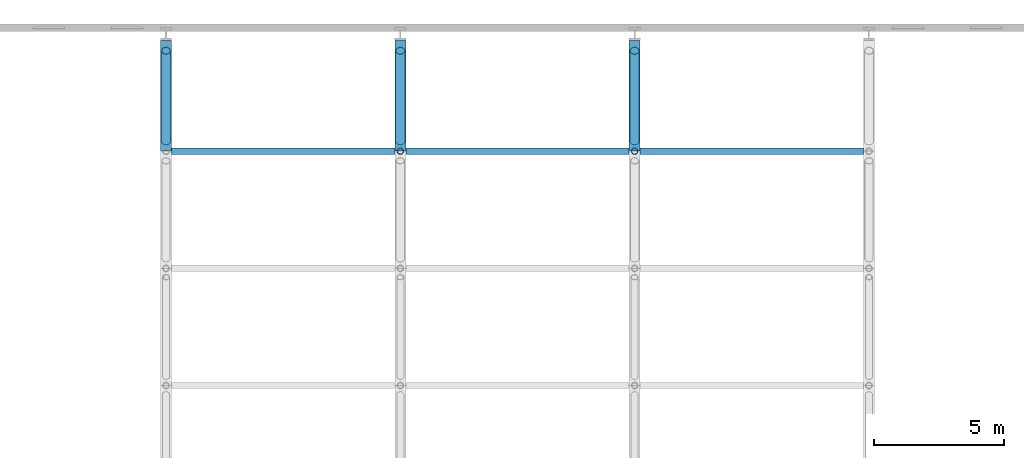
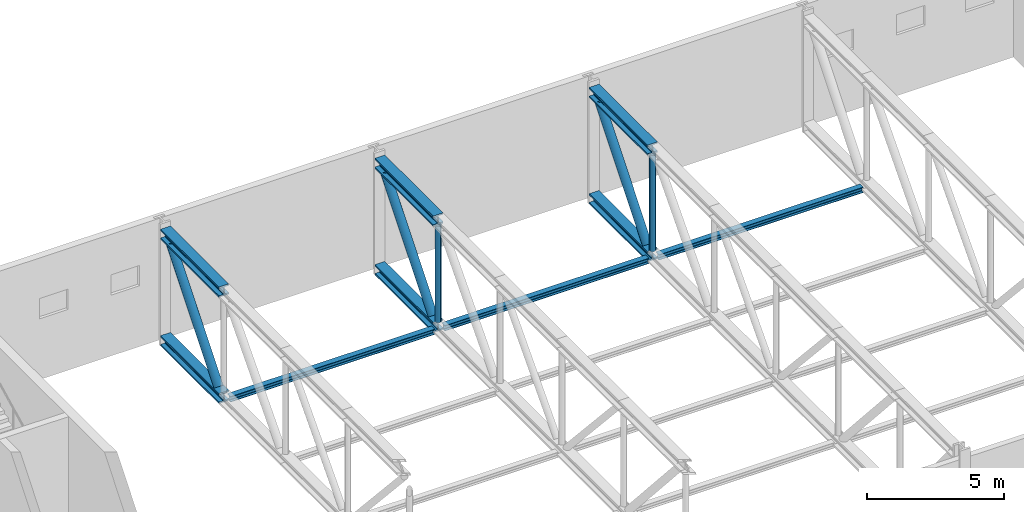
# One storey, part 22 of 53: 9 beams, 5 members.
"""IFC4 building model written with IfcOpenShell, lengths in metres."""

import ifcopenshell
import ifcopenshell.guid

model = None  # the IFC model being written
_history = None  # IfcOwnerHistory: only IFC2X3 demands one
_inside = {}  # id of a spatial element -> (the spatial element, [elements in it])
_under = {}  # id of a project, library or spatial element -> (it, [spatial elements below it])
_declared = {}  # id of a project -> (the project, [libraries it declares])
_typed = {}  # id of a type object -> (the type object, [elements of that type])
_made_of = {}  # id of a material, layer set ... -> (it, [elements and type objects made of it])


def new_model(schema):
    """Start an empty IFC model of exactly this schema.

    Asked for "IFC4X3", IfcOpenShell would pick the latest addendum, in which some entities
    have other attributes; the version numbers below select the first issue.
    IFC2X3 requires an IfcOwnerHistory on every rooted entity: one is made here for all.
    """
    global model, _history
    if schema == "IFC4X3":
        model = ifcopenshell.file(schema_version=(4, 3, 0, 0))
    else:
        model = ifcopenshell.file(schema=schema)
    _inside.clear()
    _under.clear()
    _declared.clear()
    _typed.clear()
    _made_of.clear()
    _history = None
    if model.schema == "IFC2X3":
        org = make("IfcOrganization", Name="unknown")
        user = make(
            "IfcPersonAndOrganization",
            ThePerson=make("IfcPerson", FamilyName="unknown"),
            TheOrganization=org,
        )
        app = make(
            "IfcApplication",
            ApplicationDeveloper=org,
            Version="unknown",
            ApplicationFullName="unknown",
            ApplicationIdentifier="unknown",
        )
        _history = make(
            "IfcOwnerHistory",
            OwningUser=user,
            OwningApplication=app,
            ChangeAction="ADDED",
            CreationDate=0,
        )
    return model


def make(cls, **values):
    """One entity of the class cls with the attributes given. An attribute that is None is left unset."""
    return model.create_entity(
        cls, **{name: value for name, value in values.items() if value is not None}
    )


def rooted(cls, **values):
    """An entity with a GlobalId (a new one), such as an element, a storey or a relation."""
    return make(cls, GlobalId=ifcopenshell.guid.new(), OwnerHistory=_history, **values)


def si_unit(unit_type, name, prefix=None):
    """IfcSIUnit, for example si_unit("LENGTHUNIT", "METRE", prefix="MILLI")."""
    return make("IfcSIUnit", UnitType=unit_type, Prefix=prefix, Name=name)


def assignment(units):
    """IfcUnitAssignment: the units of a project."""
    return None if units is None else make("IfcUnitAssignment", Units=units)


def point(xyz):
    """IfcCartesianPoint."""
    return None if xyz is None else make("IfcCartesianPoint", Coordinates=xyz)


def direction(xyz):
    """IfcDirection."""
    return None if xyz is None else make("IfcDirection", DirectionRatios=xyz)


def frame(location, z_axis=None, x_axis=None):
    """IfcAxis2Placement3D, a coordinate frame: its origin and axes. An axis left out is left unset."""
    return make(
        "IfcAxis2Placement3D",
        Location=point(location),
        Axis=direction(z_axis),
        RefDirection=direction(x_axis),
    )


def frame_2d(location, x_axis=None):
    """IfcAxis2Placement2D, a coordinate frame in the plane: its origin and x axis."""
    return make(
        "IfcAxis2Placement2D", Location=point(location), RefDirection=direction(x_axis)
    )


def origin():
    """The frame at (0, 0, 0) with its axes left unset."""
    return frame((0.0, 0.0, 0.0))


def origin_2d():
    """The frame at (0, 0) in the plane with its x axis left unset."""
    return frame_2d((0.0, 0.0))


def place(relative_to, where):
    """IfcLocalPlacement: puts the frame where relative to a parent placement (None: the world)."""
    return make(
        "IfcLocalPlacement", PlacementRelTo=relative_to, RelativePlacement=where
    )


def context(
    kind, dimensions, precision=None, world=None, true_north=None, identifier=None
):
    """IfcGeometricRepresentationContext, for example the 3D "Model" context."""
    return make(
        "IfcGeometricRepresentationContext",
        ContextIdentifier=identifier,
        ContextType=kind,
        CoordinateSpaceDimension=dimensions,
        Precision=precision,
        WorldCoordinateSystem=world,
        TrueNorth=true_north,
    )


def subcontext(parent, identifier, kind, view, scale=None):
    """IfcGeometricRepresentationSubContext, for example "Body" below "Model"."""
    return make(
        "IfcGeometricRepresentationSubContext",
        ContextIdentifier=identifier,
        ContextType=kind,
        ParentContext=parent,
        TargetScale=scale,
        TargetView=view,
    )


def project(units=None, contexts=None):
    """IfcProject with its units and contexts."""
    return rooted(
        "IfcProject",
        Name="project",
        RepresentationContexts=contexts,
        UnitsInContext=assignment(units),
    )


def spatial(cls, under=None, at=None, **own):
    """A site, building, storey or space (cls), placed at a placement, below another one or the project."""
    s = rooted(cls, ObjectPlacement=at, **own)
    if under is not None:
        _under.setdefault(under.id(), (under, []))[1].append(s)
    return s


def profile(cls, at=None, kind="AREA", **sizes):
    """A parametric profile (cls). Its sizes go by their IFC names, for example OverallWidth=200.0."""
    return make(cls, ProfileType=kind, Position=at, **sizes)


def hollow_circle(**sizes):
    """IfcCircleHollowProfileDef."""
    return profile("IfcCircleHollowProfileDef", **sizes)


def i_section(**sizes):
    """IfcIShapeProfileDef."""
    return profile("IfcIShapeProfileDef", **sizes)


def extrude(swept, where, along, depth):
    """IfcExtrudedAreaSolid: the profile swept, set in the frame where, extruded along a direction by depth."""
    return make(
        "IfcExtrudedAreaSolid",
        SweptArea=swept,
        Position=where,
        ExtrudedDirection=direction(along),
        Depth=depth,
    )


def shape(context_of_items, identifier, shape_type, items):
    """IfcShapeRepresentation: the items that make up one representation, for example the "Body"."""
    return make(
        "IfcShapeRepresentation",
        ContextOfItems=context_of_items,
        RepresentationIdentifier=identifier,
        RepresentationType=shape_type,
        Items=items,
    )


def material(Name=None, Category=None):
    """IfcMaterial."""
    return make("IfcMaterial", Name=Name, Category=Category)


def material_profile(
    of_material, cross_section, Name=None, Category=None, Priority=None
):
    """IfcMaterialProfile: a cross section and its material."""
    return make(
        "IfcMaterialProfile",
        Name=Name,
        Material=of_material,
        Profile=cross_section,
        Priority=Priority,
        Category=Category,
    )


def profile_set(profiles, Name=None, composite=None):
    """IfcMaterialProfileSet."""
    return make(
        "IfcMaterialProfileSet",
        Name=Name,
        MaterialProfiles=profiles,
        CompositeProfile=composite,
    )


def made_of(thing, what):
    """Note that an element or type object is made of a material, layer set ...; save() writes the relation."""
    if what is not None:
        _made_of.setdefault(what.id(), (what, []))[1].append(thing)
    return thing


def type_object(cls, material=None, **own):
    """A type object (cls), such as IfcWallType, which elements share."""
    return made_of(rooted(cls, **own), material)


def element(
    cls,
    number,
    at=None,
    inside=None,
    cuts=None,
    type_object=None,
    material=None,
    context=None,
    identifier="Body",
    shape_type=None,
    held_by="IfcProductDefinitionShape",
    body=None,
    shapes=None,
    **own,
):
    """One element of the class cls, such as IfcWall. Its Tag is "e" and its number.

    at: its placement. inside: the storey or other place that contains it. cuts: it is an
    opening in that element (IfcRelVoidsElement). A single representation is given by context,
    identifier, shape_type and body (its items); several are given by shapes. held_by: the class
    of the entity that holds the representations. save() writes the other relations.
    """
    e = rooted(cls, Tag="e%d" % number, ObjectPlacement=at, **own)
    if body is not None:
        shapes = [shape(context, identifier, shape_type, body)]
    if shapes is not None:
        e.Representation = make(held_by, Representations=shapes)
    if inside is not None:
        _inside.setdefault(inside.id(), (inside, []))[1].append(e)
    if cuts is not None:
        rooted(
            "IfcRelVoidsElement", RelatingBuildingElement=cuts, RelatedOpeningElement=e
        )
    if type_object is not None:
        _typed.setdefault(type_object.id(), (type_object, []))[1].append(e)
    return made_of(e, material)


def aggregate(whole, parts):
    """IfcRelAggregates: a whole, such as a stair, and the parts it consists of."""
    return rooted("IfcRelAggregates", RelatingObject=whole, RelatedObjects=parts)


def save(model, path):
    """Write the relations noted so far, then the file.

    IfcRelAggregates (storeys below a building ...), IfcRelContainedInSpatialStructure (elements
    in a storey), IfcRelDefinesByType, IfcRelAssociatesMaterial and IfcRelDeclares: one each for
    every whole, place, type object, material and project.
    """
    for whole, parts in _under.values():
        aggregate(whole, parts)
    for where, things in _inside.values():
        rooted(
            "IfcRelContainedInSpatialStructure",
            RelatedElements=things,
            RelatingStructure=where,
        )
    for kind, things in _typed.values():
        rooted("IfcRelDefinesByType", RelatedObjects=things, RelatingType=kind)
    for what, things in _made_of.values():
        rooted("IfcRelAssociatesMaterial", RelatedObjects=things, RelatingMaterial=what)
    for by, libraries in _declared.values():
        rooted("IfcRelDeclares", RelatingContext=by, RelatedDefinitions=libraries)
    model.write(path)


model = new_model("IFC4")

# Units and contexts
model_context = context("Model", 3, precision=1e-05, world=origin(), true_north=direction((0.0, 1.0)))
body_context = subcontext(model_context, "Body", "Model", "MODEL_VIEW")
ifc_project = project(units=[si_unit("LENGTHUNIT", "METRE"), si_unit("AREAUNIT", "SQUARE_METRE"), si_unit("VOLUMEUNIT", "CUBIC_METRE"), si_unit("PLANEANGLEUNIT", "RADIAN"), si_unit("MASSUNIT", "GRAM", prefix="KILO")], contexts=[model_context])

# Site, building, storey
site_placement = place(None, origin())
site = spatial("IfcSite", under=ifc_project, at=site_placement, CompositionType="ELEMENT")
building_placement = place(site_placement, origin())
building = spatial("IfcBuilding", under=site, at=building_placement, Name="Azimuth Sports and Learning Centre", CompositionType="ELEMENT")
storey_placement = place(building_placement, frame((0.0, 0.0, 10.800048828125)))
storey = spatial("IfcBuildingStorey", under=building, at=storey_placement, Name="L02", CompositionType="ELEMENT", Elevation=10.800048828125)

# Beams
ifc_material_1 = material(Name="Steel S355", Category="steel")
ifc_material_profile_1 = material_profile(ifc_material_1, i_section(OverallWidth=0.239990234375, OverallDepth=0.239990234375, WebThickness=0.010009765625, FlangeThickness=0.01708984375, FilletRadius=0.02099609375, at=origin_2d()), Name="HEB 240")
ifc_profile_set_1 = profile_set([ifc_material_profile_1], Name="Steel S355")
beam_type_1 = type_object("IfcBeamType", Name="Beam HEB 240", PredefinedType="BEAM", material=ifc_profile_set_1)
for number, where, z_axis, x_axis, name in (
    (1, (72.2119140625, 112.5, 0.119873046875), (1.0, 0.0, 0.0), (0.0, 1.0, 0.0), "Floor truss bracing strut 13"),
    (2, (81.2119140625, 112.5, 0.119873046875), (1.0, 0.0, 0.0), (0.0, 1.0, 0.0), "Floor truss bracing strut 14"),
    (3, (90.2119140625, 112.5, 0.119873046875), (1.0, 0.0, 0.0), (0.0, 1.0, 0.0), "Floor truss bracing strut 15"),
):
    element("IfcBeam", number, at=place(storey_placement, frame(where, z_axis=z_axis, x_axis=x_axis)), inside=storey, type_object=beam_type_1, Name=name, PredefinedType="BEAM", context=body_context, shape_type="SweptSolid", body=[
        extrude(i_section(OverallWidth=0.239990234375, OverallDepth=0.239990234375, WebThickness=0.010009765625, FlangeThickness=0.01708984375, FilletRadius=0.02099609375, at=origin_2d()), origin(), (0.0, 0.0, 1.0), 8.576171875),
    ])
ifc_material_2 = material(Name="Steel S460", Category="steel")
ifc_material_profile_2 = material_profile(ifc_material_2, i_section(OverallWidth=0.41796875, OverallDepth=0.455078125, WebThickness=0.0419921875, FlangeThickness=0.067626953125, FilletRadius=0.014892578125, at=origin_2d()), Name="HD 400x551")
ifc_profile_set_2 = profile_set([ifc_material_profile_2], Name="Steel S460")
beam_type_2 = type_object("IfcBeamType", Name="Truss chord HD 400x551", PredefinedType="USERDEFINED", material=ifc_profile_set_2)
for number, where, z_axis, x_axis, name in (
    (4, (72.0, 112.5, 4.952392578125), (0.0, 1.0, 0.0), (-1.0, 0.0, 0.0), "Floor truss FT-1 top chord 6"),
    (5, (72.0, 112.5, 0.2275390625), (0.0, 1.0, 0.0), (-1.0, 0.0, 0.0), "Floor truss FT-1 bottom chord 6"),
    (6, (81.0, 112.5, 4.952392578125), (0.0, 1.0, 0.0), (-1.0, 0.0, 0.0), "Floor truss FT-2 top chord 6"),
    (7, (81.0, 112.5, 0.2275390625), (0.0, 1.0, 0.0), (-1.0, 0.0, 0.0), "Floor truss FT-2 bottom chord 6"),
    (8, (90.0, 112.5, 4.952392578125), (0.0, 1.0, 0.0), (-1.0, 0.0, 0.0), "Floor truss FT-3 top chord 6"),
    (9, (90.0, 112.5, 0.2275390625), (0.0, 1.0, 0.0), (-1.0, 0.0, 0.0), "Floor truss FT-3 bottom chord 6"),
):
    element("IfcBeam", number, at=place(storey_placement, frame(where, z_axis=z_axis, x_axis=x_axis)), inside=storey, type_object=beam_type_2, Name=name, ObjectType="TRUSS CHORD", PredefinedType="USERDEFINED", context=body_context, shape_type="SweptSolid", body=[
        extrude(i_section(OverallWidth=0.41796875, OverallDepth=0.455078125, WebThickness=0.0419921875, FlangeThickness=0.067626953125, FilletRadius=0.014892578125, at=origin_2d()), origin(), (0.0, 0.0, 1.0), 4.242919921875),
    ])

# Members
ifc_material_3 = material(Name="Steel S355", Category="steel")
ifc_material_profile_3 = material_profile(ifc_material_3, hollow_circle(Radius=0.177734375, WallThickness=0.01611328125, at=origin_2d()), Name="CHS 355.6x16.0")
ifc_profile_set_3 = profile_set([ifc_material_profile_3], Name="Steel S355")
member_type_1 = type_object("IfcMemberType", Name="Truss diagonal CHS 355.6x16.0", PredefinedType="BRACE", material=ifc_profile_set_3)
for number, where, z_axis, x_axis, name in (
    (10, (72.0, 116.35791015625, 4.724853515625), (0.0, -0.63097662628, -0.77580184138), (1.0, 0.0, 0.0), "Floor truss FT-1 diagonal 6"),
    (11, (81.0, 116.35791015625, 4.724853515625), (0.0, -0.63097662628, -0.77580184138), (1.0, 0.0, 0.0), "Floor truss FT-2 diagonal 6"),
    (12, (90.0, 116.35791015625, 4.724853515625), (0.0, -0.63097662628, -0.77580184138), (1.0, 0.0, 0.0), "Floor truss FT-3 diagonal 6"),
):
    element("IfcMember", number, at=place(storey_placement, frame(where, z_axis=z_axis, x_axis=x_axis)), inside=storey, type_object=member_type_1, Name=name, PredefinedType="BRACE", context=body_context, shape_type="SweptSolid", body=[
        extrude(hollow_circle(Radius=0.177734375, WallThickness=0.01611328125, at=origin_2d()), origin(), (0.0, 0.0, 1.0), 5.50390625),
    ])
ifc_material_4 = material(Name="Steel S355", Category="steel")
ifc_material_profile_4 = material_profile(ifc_material_4, hollow_circle(Radius=0.122314453125, WallThickness=0.012451171875, at=origin_2d()), Name="CHS 244.5x12.5")
ifc_profile_set_4 = profile_set([ifc_material_profile_4], Name="Steel S355")
member_type_2 = type_object("IfcMemberType", Name="Truss post CHS 244.5x12.5", PredefinedType="POST", material=ifc_profile_set_4)
for number, where, z_axis, x_axis, name in (
    (13, (81.0, 112.5, 0.454833984375), (0.0, 0.0, 1.0), (1.0, 0.0, 0.0), "Floor truss FT-2 post 5"),
    (14, (90.0, 112.5, 0.454833984375), (0.0, 0.0, 1.0), (1.0, 0.0, 0.0), "Floor truss FT-3 post 5"),
):
    element("IfcMember", number, at=place(storey_placement, frame(where, z_axis=z_axis, x_axis=x_axis)), inside=storey, type_object=member_type_2, Name=name, PredefinedType="POST", context=body_context, shape_type="SweptSolid", body=[
        extrude(hollow_circle(Radius=0.122314453125, WallThickness=0.012451171875, at=origin_2d()), origin(), (0.0, 0.0, 1.0), 4.27001953125),
    ])

save(model, "model.ifc")
